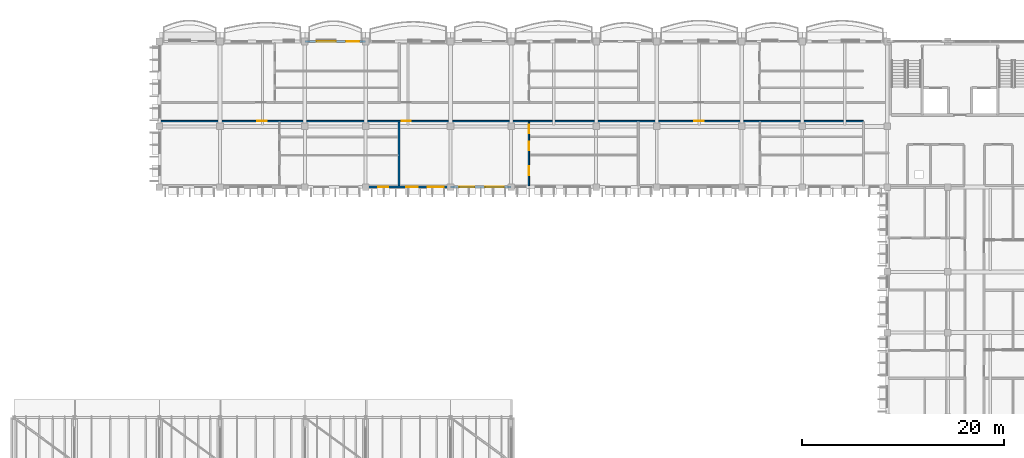
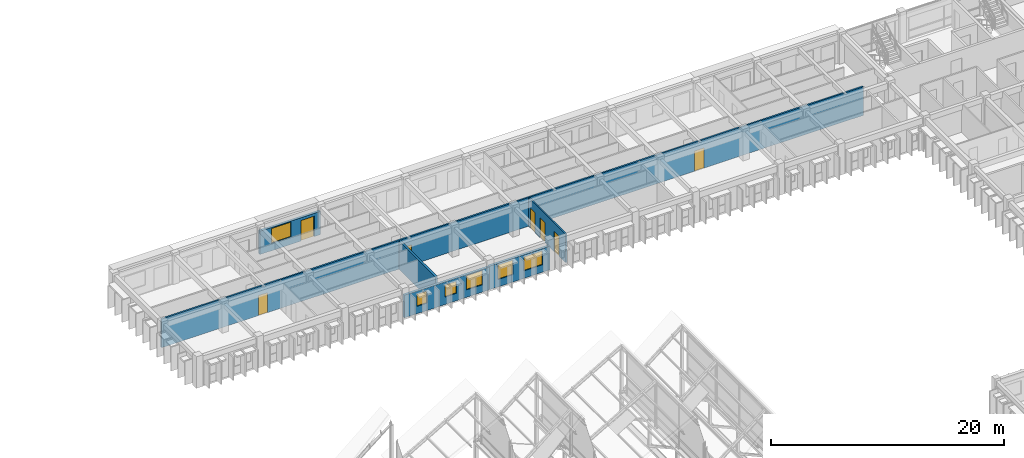
# One storey, part 55 of 101: 7 doors, 6 walls, 6 windows, 13 openings.
"""IFC4 building model written with IfcOpenShell, lengths in metres."""

from ifc_helpers import new_model, si_unit, direction, frame, frame_2d, origin, place, context, subcontext, project, spatial, rectangle, extrude, material, layer, layer_set, type_object, element, fill, save


model = new_model("IFC4")

# Units and contexts
model_context = context("Model", 3, precision=1e-05, world=origin(), true_north=direction((0.0, 1.0)))
body_context = subcontext(model_context, "Body", "Model", "MODEL_VIEW")
ifc_project = project(units=[si_unit("LENGTHUNIT", "METRE"), si_unit("AREAUNIT", "SQUARE_METRE"), si_unit("VOLUMEUNIT", "CUBIC_METRE"), si_unit("PLANEANGLEUNIT", "RADIAN"), si_unit("MASSUNIT", "GRAM", prefix="KILO"), si_unit("THERMODYNAMICTEMPERATUREUNIT", "KELVIN")], contexts=[model_context])

# Site, building, storey
site_placement = place(None, origin())
site = spatial("IfcSite", under=ifc_project, at=site_placement, CompositionType="ELEMENT")
building_placement = place(site_placement, origin())
building = spatial("IfcBuilding", under=site, at=building_placement, Name="Thalorik Housing Commons", CompositionType="ELEMENT")
storey_placement = place(building_placement, frame((0.0, 0.0, 8.10009765625)))
storey = spatial("IfcBuildingStorey", under=building, at=storey_placement, Name="L02", CompositionType="ELEMENT", Elevation=8.10009765625)

# Wall, openings, doors
ifc_material_1 = material(Name="Masonry fire-rated corridor wall", Category="masonry")
ifc_layer_1 = layer(ifc_material_1, 0.1650390625, Name="Masonry fire-rated corridor wall", Category="masonry")
ifc_layer_set_1 = layer_set([ifc_layer_1], Name="Masonry fire-rated corridor wall")
wall_type_1 = type_object("IfcWallType", Name="ARC-WAL-CORR-165", PredefinedType="PARTITIONING", material=ifc_layer_set_1)
wall_1_placement = place(storey_placement, frame((80.51953125, 115.719970703125, 0.0), z_axis=(0.0, 0.0, 1.0), x_axis=(1.0, 0.0, 0.0)))
wall_1 = element("IfcWall", 1, at=wall_1_placement, inside=storey, type_object=wall_type_1, Name="L02 Block B N Corridor Wall 1", PredefinedType="PARTITIONING", context=body_context, shape_type="SweptSolid", body=[
    extrude(rectangle(XDim=69.530517578125, YDim=0.1650390625, at=frame_2d((34.76513671875, 0.0))), origin(), (0.0, 0.0, 1.0), 3.0),
])
opening_1_placement = place(wall_1_placement, frame((9.58837890625, 0.0, 0.0)))
opening_1 = element("IfcOpeningElement", 2, at=opening_1_placement, cuts=wall_1, Name="Opening ID-1043", PredefinedType="OPENING", context=body_context, shape_type="SweptSolid", body=[
    extrude(rectangle(XDim=0.919921875, YDim=2.10009765625, at=frame_2d((0.4599609375, 1.050048828125))), frame((0.0, 0.092529296875, 0.0), z_axis=(0.0, -1.0, 0.0), x_axis=(1.0, 0.0, 0.0)), (0.0, 0.0, 1.0), 0.18505859375),
])
opening_2_placement = place(wall_1_placement, frame((23.8505859375, 0.0, 0.0)))
opening_2 = element("IfcOpeningElement", 3, at=opening_2_placement, cuts=wall_1, Name="Opening ID-1044", PredefinedType="OPENING", context=body_context, shape_type="SweptSolid", body=[
    extrude(rectangle(XDim=0.919921875, YDim=2.10009765625, at=frame_2d((0.4599609375, 1.050048828125))), frame((0.0, 0.092529296875, 0.0), z_axis=(0.0, -1.0, 0.0), x_axis=(1.0, 0.0, 0.0)), (0.0, 0.0, 1.0), 0.18505859375),
])
opening_3_placement = place(wall_1_placement, frame((52.798095703125, 0.0, 0.0)))
opening_3 = element("IfcOpeningElement", 4, at=opening_3_placement, cuts=wall_1, Name="Opening ID-1045", PredefinedType="OPENING", context=body_context, shape_type="SweptSolid", body=[
    extrude(rectangle(XDim=0.9599609375, YDim=2.1201171875, at=frame_2d((0.47998046875, 1.06005859375))), frame((0.0, 0.092529296875, 0.0), z_axis=(0.0, -1.0, 0.0), x_axis=(1.0, 0.0, 0.0)), (0.0, 0.0, 1.0), 0.18505859375),
])
ifc_material_2 = material(Name="Solid core hardwood timber", Category="wood")
door_type_1 = type_object("IfcDoorType", Name="ARC-DR-FD30-920", OperationType="NOTDEFINED", PredefinedType="DOOR", material=ifc_material_2)
door_1_placement = place(opening_1_placement, origin())
door_1 = element("IfcDoor", 5, at=door_1_placement, inside=storey, type_object=door_type_1, Name="L02 Flat BN-1A Entrance Door", OperationType="SINGLE_SWING_RIGHT", OverallHeight=2.10009765625, OverallWidth=0.919921875, PredefinedType="DOOR", context=body_context, shape_type="SweptSolid", body=[
    extrude(rectangle(XDim=0.919921875, YDim=2.10009765625, at=frame_2d((0.4599609375, 1.050048828125))), frame((0.0, 0.02490234375, 0.0), z_axis=(0.0, -1.0, 0.0), x_axis=(1.0, 0.0, 0.0)), (0.0, 0.0, 1.0), 0.050048828125),
])
fill(opening_1, door_1)
door_2_placement = place(opening_2_placement, origin())
door_2 = element("IfcDoor", 6, at=door_2_placement, inside=storey, type_object=door_type_1, Name="L02 Flat BN-2A Entrance Door", OperationType="SINGLE_SWING_LEFT", OverallHeight=2.10009765625, OverallWidth=0.919921875, PredefinedType="DOOR", context=body_context, shape_type="SweptSolid", body=[
    extrude(rectangle(XDim=0.919921875, YDim=2.10009765625, at=frame_2d((0.4599609375, 1.050048828125))), frame((0.0, 0.02490234375, 0.0), z_axis=(0.0, -1.0, 0.0), x_axis=(1.0, 0.0, 0.0)), (0.0, 0.0, 1.0), 0.050048828125),
])
fill(opening_2, door_2)
door_type_2 = type_object("IfcDoorType", Name="ARC-DR-FD30-960", OperationType="NOTDEFINED", PredefinedType="DOOR", material=ifc_material_2)
door_3_placement = place(opening_3_placement, origin())
door_3 = element("IfcDoor", 7, at=door_3_placement, inside=storey, type_object=door_type_2, Name="L02 Flat BN-3A Entrance Door", OperationType="SINGLE_SWING_RIGHT", OverallHeight=2.1201171875, OverallWidth=0.9599609375, PredefinedType="DOOR", context=body_context, shape_type="SweptSolid", body=[
    extrude(rectangle(XDim=0.9599609375, YDim=2.1201171875, at=frame_2d((0.47998046875, 1.06005859375))), frame((0.0, 0.02490234375, 0.0), z_axis=(0.0, -1.0, 0.0), x_axis=(1.0, 0.0, 0.0)), (0.0, 0.0, 1.0), 0.050048828125),
])
fill(opening_3, door_3)

# Wall, openings, door, window
ifc_material_3 = material(Name="White precast concrete C40/50", Category="concrete")
ifc_layer_2 = layer(ifc_material_3, 0.235107421875, Name="White precast concrete C40/50", Category="concrete")
ifc_layer_set_2 = layer_set([ifc_layer_2], Name="White precast concrete C40/50")
wall_type_2 = type_object("IfcWallType", Name="ARC-WAL-EXT-235", PredefinedType="STANDARD", material=ifc_layer_set_2)
wall_2_placement = place(storey_placement, frame((100.800048828125, 123.60009765625, 0.0), z_axis=(0.0, 0.0, 1.0), x_axis=(-1.0, 0.0, 0.0)))
wall_2 = element("IfcWall", 8, at=wall_2_placement, inside=storey, type_object=wall_type_2, Name="L02 Exterior Wall WAL-EXT-L02-B-0457", PredefinedType="STANDARD", context=body_context, shape_type="SweptSolid", body=[
    extrude(rectangle(XDim=6.0, YDim=0.235107421875, at=frame_2d((3.0, 0.0))), origin(), (0.0, 0.0, 1.0), 2.44482421875),
])
opening_4_placement = place(wall_2_placement, frame((0.6201171875, 0.0, 0.0)))
opening_4 = element("IfcOpeningElement", 9, at=opening_4_placement, cuts=wall_2, Name="Opening ED-0133", PredefinedType="OPENING", context=body_context, shape_type="SweptSolid", body=[
    extrude(rectangle(XDim=1.300048828125, YDim=2.14990234375, at=frame_2d((0.64990234375, 1.074951171875))), frame((0.0, 0.12744140625, 0.0), z_axis=(0.0, -1.0, 0.0), x_axis=(1.0, 0.0, 0.0)), (0.0, 0.0, 1.0), 0.255126953125),
])
opening_5_placement = place(wall_2_placement, frame((2.93994140625, 0.0, 0.780029296875)))
opening_5 = element("IfcOpeningElement", 10, at=opening_5_placement, cuts=wall_2, Name="Opening W-21", PredefinedType="OPENING", context=body_context, shape_type="SweptSolid", body=[
    extrude(rectangle(XDim=1.89990234375, YDim=1.550048828125, at=frame_2d((0.949951171875, 0.77490234375))), frame((0.0, 0.12744140625, 0.0), z_axis=(0.0, -1.0, 0.0), x_axis=(1.0, 0.0, 0.0)), (0.0, 0.0, 1.0), 0.255126953125),
])
ifc_material_4 = material(Name="Anodised aluminium and laminated safety glass", Category="aluminium")
door_type_3 = type_object("IfcDoorType", Name="ARC-DR-BAL-1300", OperationType="NOTDEFINED", PredefinedType="DOOR", material=ifc_material_4)
door_4_placement = place(opening_4_placement, frame((1.300048828125, 0.0, 0.0), z_axis=(0.0, 0.0, 1.0), x_axis=(-1.0, 0.0, 0.0)))
door_4 = element("IfcDoor", 11, at=door_4_placement, inside=storey, type_object=door_type_3, Name="L02 Block B Balcony Glazed Door", OperationType="SINGLE_SWING_RIGHT", OverallHeight=2.14990234375, OverallWidth=1.300048828125, PredefinedType="DOOR", context=body_context, shape_type="SweptSolid", body=[
    extrude(rectangle(XDim=1.300048828125, YDim=2.14990234375, at=frame_2d((0.64990234375, 1.074951171875))), frame((0.0, 0.02490234375, 0.0), z_axis=(0.0, -1.0, 0.0), x_axis=(1.0, 0.0, 0.0)), (0.0, 0.0, 1.0), 0.050048828125),
])
fill(opening_4, door_4)
ifc_material_5 = material(Name="Anodised aluminium and solar-control low-E glass", Category="aluminium")
window_type_1 = type_object("IfcWindowType", Name="ARC-WIN-21", PartitioningType="DOUBLE_PANEL_VERTICAL", PredefinedType="WINDOW", material=ifc_material_5)
window_1_placement = place(opening_5_placement, origin())
window_1 = element("IfcWindow", 12, at=window_1_placement, inside=storey, type_object=window_type_1, Name="L02 Facade Window 812", OverallHeight=1.550048828125, OverallWidth=1.89990234375, PartitioningType="DOUBLE_PANEL_VERTICAL", PredefinedType="WINDOW", context=body_context, shape_type="SweptSolid", body=[
    extrude(rectangle(XDim=1.89990234375, YDim=1.550048828125, at=frame_2d((0.949951171875, 0.77490234375))), frame((0.0, 0.030029296875, 0.0), z_axis=(0.0, -1.0, 0.0), x_axis=(1.0, 0.0, 0.0)), (0.0, 0.0, 1.0), 0.06005859375),
])
fill(opening_5, window_1)

# Wall, openings, windows
wall_3_placement = place(storey_placement, frame((100.800048828125, 109.199951171875, 0.0), z_axis=(0.0, 0.0, 1.0), x_axis=(1.0, 0.0, 0.0)))
wall_3 = element("IfcWall", 13, at=wall_3_placement, inside=storey, type_object=wall_type_2, Name="L02 Exterior Wall WAL-EXT-L02-B-0465", PredefinedType="STANDARD", context=body_context, shape_type="SweptSolid", body=[
    extrude(rectangle(XDim=8.39990234375, YDim=0.235107421875, at=frame_2d((4.199951171875, 0.0))), origin(), (0.0, 0.0, 1.0), 2.375),
])
opening_6_placement = place(wall_3_placement, frame((1.2548828125, 0.0, 0.780029296875)))
opening_6 = element("IfcOpeningElement", 14, at=opening_6_placement, cuts=wall_3, Name="Opening W-02", PredefinedType="OPENING", context=body_context, shape_type="SweptSolid", body=[
    extrude(rectangle(XDim=1.0, YDim=1.25, at=frame_2d((0.5, 0.625))), frame((0.0, 0.12744140625, 0.0), z_axis=(0.0, -1.0, 0.0), x_axis=(1.0, 0.0, 0.0)), (0.0, 0.0, 1.0), 0.255126953125),
])
opening_7_placement = place(wall_3_placement, frame((4.00244140625, 0.0, 0.780029296875)))
opening_7 = element("IfcOpeningElement", 15, at=opening_7_placement, cuts=wall_3, Name="Opening W-45", PredefinedType="OPENING", context=body_context, shape_type="SweptSolid", body=[
    extrude(rectangle(XDim=1.14990234375, YDim=1.25, at=frame_2d((0.574951171875, 0.625))), frame((0.0, 0.12744140625, 0.0), z_axis=(0.0, -1.0, 0.0), x_axis=(1.0, 0.0, 0.0)), (0.0, 0.0, 1.0), 0.255126953125),
])
opening_8_placement = place(wall_3_placement, frame((6.16259765625, 0.0, 0.780029296875)))
opening_8 = element("IfcOpeningElement", 16, at=opening_8_placement, cuts=wall_3, Name="Opening W-53", PredefinedType="OPENING", context=body_context, shape_type="SweptSolid", body=[
    extrude(rectangle(XDim=1.580078125, YDim=1.47998046875, at=frame_2d((0.7900390625, 0.739990234375))), frame((0.0, 0.12744140625, 0.0), z_axis=(0.0, -1.0, 0.0), x_axis=(1.0, 0.0, 0.0)), (0.0, 0.0, 1.0), 0.255126953125),
])
window_type_2 = type_object("IfcWindowType", Name="ARC-WIN-02", PartitioningType="SINGLE_PANEL", PredefinedType="WINDOW", material=ifc_material_5)
window_2_placement = place(opening_6_placement, origin())
window_2 = element("IfcWindow", 17, at=window_2_placement, inside=storey, type_object=window_type_2, Name="L02 Facade Window 828", OverallHeight=1.25, OverallWidth=1.0, PartitioningType="SINGLE_PANEL", PredefinedType="WINDOW", context=body_context, shape_type="SweptSolid", body=[
    extrude(rectangle(XDim=1.0, YDim=1.25, at=frame_2d((0.5, 0.625))), frame((0.0, 0.030029296875, 0.0), z_axis=(0.0, -1.0, 0.0), x_axis=(1.0, 0.0, 0.0)), (0.0, 0.0, 1.0), 0.06005859375),
])
fill(opening_6, window_2)
window_type_3 = type_object("IfcWindowType", Name="ARC-WIN-45", PartitioningType="SINGLE_PANEL", PredefinedType="WINDOW", material=ifc_material_5)
window_3_placement = place(opening_7_placement, origin())
window_3 = element("IfcWindow", 18, at=window_3_placement, inside=storey, type_object=window_type_3, Name="L02 Facade Window 829", OverallHeight=1.25, OverallWidth=1.14990234375, PartitioningType="SINGLE_PANEL", PredefinedType="WINDOW", context=body_context, shape_type="SweptSolid", body=[
    extrude(rectangle(XDim=1.14990234375, YDim=1.25, at=frame_2d((0.574951171875, 0.625))), frame((0.0, 0.030029296875, 0.0), z_axis=(0.0, -1.0, 0.0), x_axis=(1.0, 0.0, 0.0)), (0.0, 0.0, 1.0), 0.06005859375),
])
fill(opening_7, window_3)
window_type_4 = type_object("IfcWindowType", Name="ARC-WIN-53", PartitioningType="SINGLE_PANEL", PredefinedType="WINDOW", material=ifc_material_5)
window_4_placement = place(opening_8_placement, origin())
window_4 = element("IfcWindow", 19, at=window_4_placement, inside=storey, type_object=window_type_4, Name="L02 Facade Window 830", OverallHeight=1.47998046875, OverallWidth=1.580078125, PartitioningType="SINGLE_PANEL", PredefinedType="WINDOW", context=body_context, shape_type="SweptSolid", body=[
    extrude(rectangle(XDim=1.580078125, YDim=1.47998046875, at=frame_2d((0.7900390625, 0.739990234375))), frame((0.0, 0.030029296875, 0.0), z_axis=(0.0, -1.0, 0.0), x_axis=(1.0, 0.0, 0.0)), (0.0, 0.0, 1.0), 0.06005859375),
])
fill(opening_8, window_4)

wall_4_placement = place(storey_placement, frame((109.199951171875, 109.199951171875, 0.0), z_axis=(0.0, 0.0, 1.0), x_axis=(1.0, 0.0, 0.0)))
wall_4 = element("IfcWall", 20, at=wall_4_placement, inside=storey, type_object=wall_type_2, Name="L02 Exterior Wall WAL-EXT-L02-B-0466", PredefinedType="STANDARD", context=body_context, shape_type="SweptSolid", body=[
    extrude(rectangle(XDim=6.0, YDim=0.235107421875, at=frame_2d((3.0, 0.0))), origin(), (0.0, 0.0, 1.0), 2.474853515625),
])
opening_9_placement = place(wall_4_placement, frame((0.889892578125, 0.0, 0.780029296875)))
opening_9 = element("IfcOpeningElement", 21, at=opening_9_placement, cuts=wall_4, Name="Opening W-51", PredefinedType="OPENING", context=body_context, shape_type="SweptSolid", body=[
    extrude(rectangle(XDim=1.47998046875, YDim=1.52001953125, at=frame_2d((0.739990234375, 0.760009765625))), frame((0.0, 0.12744140625, 0.0), z_axis=(0.0, -1.0, 0.0), x_axis=(1.0, 0.0, 0.0)), (0.0, 0.0, 1.0), 0.255126953125),
])
opening_10_placement = place(wall_4_placement, frame((3.4599609375, 0.0, 0.780029296875)))
opening_10 = element("IfcOpeningElement", 22, at=opening_10_placement, cuts=wall_4, Name="Opening W-58", PredefinedType="OPENING", context=body_context, shape_type="SweptSolid", body=[
    extrude(rectangle(XDim=1.820068359375, YDim=1.4599609375, at=frame_2d((0.91015625, 0.72998046875))), frame((0.0, 0.12744140625, 0.0), z_axis=(0.0, -1.0, 0.0), x_axis=(1.0, 0.0, 0.0)), (0.0, 0.0, 1.0), 0.255126953125),
])
window_type_5 = type_object("IfcWindowType", Name="ARC-WIN-51", PartitioningType="SINGLE_PANEL", PredefinedType="WINDOW", material=ifc_material_5)
window_5_placement = place(opening_9_placement, origin())
window_5 = element("IfcWindow", 23, at=window_5_placement, inside=storey, type_object=window_type_5, Name="L02 Facade Window 831", OverallHeight=1.52001953125, OverallWidth=1.47998046875, PartitioningType="SINGLE_PANEL", PredefinedType="WINDOW", context=body_context, shape_type="SweptSolid", body=[
    extrude(rectangle(XDim=1.47998046875, YDim=1.52001953125, at=frame_2d((0.739990234375, 0.760009765625))), frame((0.0, 0.030029296875, 0.0), z_axis=(0.0, -1.0, 0.0), x_axis=(1.0, 0.0, 0.0)), (0.0, 0.0, 1.0), 0.06005859375),
])
fill(opening_9, window_5)
window_type_6 = type_object("IfcWindowType", Name="ARC-WIN-58", PartitioningType="DOUBLE_PANEL_VERTICAL", PredefinedType="WINDOW", material=ifc_material_5)
window_6_placement = place(opening_10_placement, origin())
window_6 = element("IfcWindow", 24, at=window_6_placement, inside=storey, type_object=window_type_6, Name="L02 Facade Window 832", OverallHeight=1.4599609375, OverallWidth=1.820068359375, PartitioningType="DOUBLE_PANEL_VERTICAL", PredefinedType="WINDOW", context=body_context, shape_type="SweptSolid", body=[
    extrude(rectangle(XDim=1.820068359375, YDim=1.4599609375, at=frame_2d((0.91015625, 0.72998046875))), frame((0.0, 0.030029296875, 0.0), z_axis=(0.0, -1.0, 0.0), x_axis=(1.0, 0.0, 0.0)), (0.0, 0.0, 1.0), 0.06005859375),
])
fill(opening_10, window_6)

# Wall, openings, doors
ifc_material_6 = material(Name="Ceramic masonry partition wall", Category="masonry")
ifc_layer_3 = layer(ifc_material_6, 0.139892578125, Name="Ceramic masonry partition wall", Category="masonry")
ifc_layer_set_3 = layer_set([ifc_layer_3], Name="Ceramic masonry partition wall")
wall_type_3 = type_object("IfcWallType", Name="ARC-WAL-PART-140", PredefinedType="PARTITIONING", material=ifc_layer_set_3)
wall_5_placement = place(storey_placement, frame((116.949951171875, 109.319580078125, 0.0), z_axis=(0.0, 0.0, 1.0), x_axis=(0.0, 1.0, 0.0)))
wall_5 = element("IfcWall", 25, at=wall_5_placement, inside=storey, type_object=wall_type_3, Name="L02 Unit 2 Spine Partition", PredefinedType="PARTITIONING", context=body_context, shape_type="SweptSolid", body=[
    extrude(rectangle(XDim=6.31591796875, YDim=0.139892578125, at=frame_2d((3.157958984375, 0.0))), origin(), (0.0, 0.0, 1.0), 3.0),
])
opening_11_placement = place(wall_5_placement, frame((1.06591796875, 0.0, 0.0)))
opening_11 = element("IfcOpeningElement", 26, at=opening_11_placement, cuts=wall_5, Name="Opening ID-1031", PredefinedType="OPENING", context=body_context, shape_type="SweptSolid", body=[
    extrude(rectangle(XDim=0.85009765625, YDim=2.10009765625, at=frame_2d((0.425048828125, 1.050048828125))), frame((0.0, 0.080078125, 0.0), z_axis=(0.0, -1.0, 0.0), x_axis=(1.0, 0.0, 0.0)), (0.0, 0.0, 1.0), 0.159912109375),
])
opening_12_placement = place(wall_5_placement, frame((3.520751953125, 0.0, 0.0)))
opening_12 = element("IfcOpeningElement", 27, at=opening_12_placement, cuts=wall_5, Name="Opening ID-1032", PredefinedType="OPENING", context=body_context, shape_type="SweptSolid", body=[
    extrude(rectangle(XDim=0.820068359375, YDim=2.080078125, at=frame_2d((0.41015625, 1.0400390625))), frame((0.0, 0.080078125, 0.0), z_axis=(0.0, -1.0, 0.0), x_axis=(1.0, 0.0, 0.0)), (0.0, 0.0, 1.0), 0.159912109375),
])
opening_13_placement = place(wall_5_placement, frame((5.225341796875, 0.0, 0.0)))
opening_13 = element("IfcOpeningElement", 28, at=opening_13_placement, cuts=wall_5, Name="Opening ID-1033", PredefinedType="OPENING", context=body_context, shape_type="SweptSolid", body=[
    extrude(rectangle(XDim=0.800048828125, YDim=2.10009765625, at=frame_2d((0.39990234375, 1.050048828125))), frame((0.0, 0.080078125, 0.0), z_axis=(0.0, -1.0, 0.0), x_axis=(1.0, 0.0, 0.0)), (0.0, 0.0, 1.0), 0.159912109375),
])
ifc_material_7 = material(Name="Moisture-resistant timber", Category="wood")
door_type_4 = type_object("IfcDoorType", Name="ARC-DR-INT-800", OperationType="NOTDEFINED", PredefinedType="DOOR", material=ifc_material_7)
door_5_placement = place(opening_13_placement, origin())
door_5 = element("IfcDoor", 29, at=door_5_placement, inside=storey, type_object=door_type_4, Name="L02 Accessible Bathroom Door", OperationType="SINGLE_SWING_RIGHT", OverallHeight=2.10009765625, OverallWidth=0.800048828125, PredefinedType="DOOR", context=body_context, shape_type="SweptSolid", body=[
    extrude(rectangle(XDim=0.800048828125, YDim=2.10009765625, at=frame_2d((0.39990234375, 1.050048828125))), frame((0.0, 0.02490234375, 0.0), z_axis=(0.0, -1.0, 0.0), x_axis=(1.0, 0.0, 0.0)), (0.0, 0.0, 1.0), 0.050048828125),
])
fill(opening_13, door_5)
ifc_material_8 = material(Name="Engineered oak timber", Category="wood")
door_type_5 = type_object("IfcDoorType", Name="ARC-DR-INT-820", OperationType="NOTDEFINED", PredefinedType="DOOR", material=ifc_material_8)
door_6_placement = place(opening_12_placement, origin())
door_6 = element("IfcDoor", 30, at=door_6_placement, inside=storey, type_object=door_type_5, Name="L02 Galley Kitchen Door", OperationType="SINGLE_SWING_LEFT", OverallHeight=2.080078125, OverallWidth=0.820068359375, PredefinedType="DOOR", context=body_context, shape_type="SweptSolid", body=[
    extrude(rectangle(XDim=0.820068359375, YDim=2.080078125, at=frame_2d((0.41015625, 1.0400390625))), frame((0.0, 0.02490234375, 0.0), z_axis=(0.0, -1.0, 0.0), x_axis=(1.0, 0.0, 0.0)), (0.0, 0.0, 1.0), 0.050048828125),
])
fill(opening_12, door_6)
door_type_6 = type_object("IfcDoorType", Name="ARC-DR-INT-850", OperationType="NOTDEFINED", PredefinedType="DOOR", material=ifc_material_8)
door_7_placement = place(opening_11_placement, origin())
door_7 = element("IfcDoor", 31, at=door_7_placement, inside=storey, type_object=door_type_6, Name="L02 Double Bedroom Door", OperationType="SINGLE_SWING_RIGHT", OverallHeight=2.10009765625, OverallWidth=0.85009765625, PredefinedType="DOOR", context=body_context, shape_type="SweptSolid", body=[
    extrude(rectangle(XDim=0.85009765625, YDim=2.10009765625, at=frame_2d((0.425048828125, 1.050048828125))), frame((0.0, 0.02490234375, 0.0), z_axis=(0.0, -1.0, 0.0), x_axis=(1.0, 0.0, 0.0)), (0.0, 0.0, 1.0), 0.050048828125),
])
fill(opening_11, door_7)

# Wall
ifc_material_9 = material(Name="Precast concrete C40/50 acoustic wall", Category="concrete")
ifc_layer_4 = layer(ifc_material_9, 0.199951171875, Name="Precast concrete C40/50 acoustic wall", Category="concrete")
ifc_layer_set_4 = layer_set([ifc_layer_4], Name="Precast concrete C40/50 acoustic wall")
wall_type_4 = type_object("IfcWallType", Name="ARC-WAL-PARTY-200", PredefinedType="PARTITIONING", material=ifc_layer_set_4)
wall_6_placement = place(storey_placement, frame((104.1201171875, 109.319580078125, 0.0), z_axis=(0.0, 0.0, 1.0), x_axis=(0.0, 1.0, 0.0)))
element("IfcWall", 32, at=wall_6_placement, inside=storey, type_object=wall_type_4, Name="L02 Inter-Tenancy Wall 1A", PredefinedType="PARTITIONING", context=body_context, shape_type="SweptSolid", body=[
    extrude(rectangle(XDim=6.31591796875, YDim=0.199951171875, at=frame_2d((3.157958984375, 0.0))), origin(), (0.0, 0.0, 1.0), 3.0),
])

save(model, "model.ifc")
